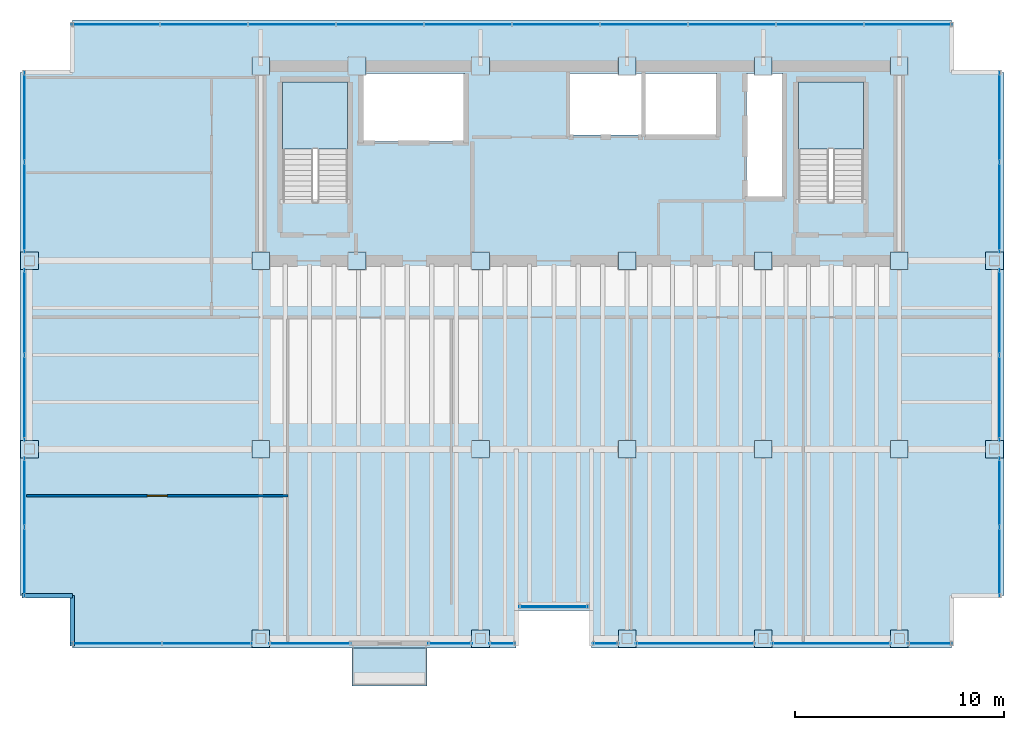
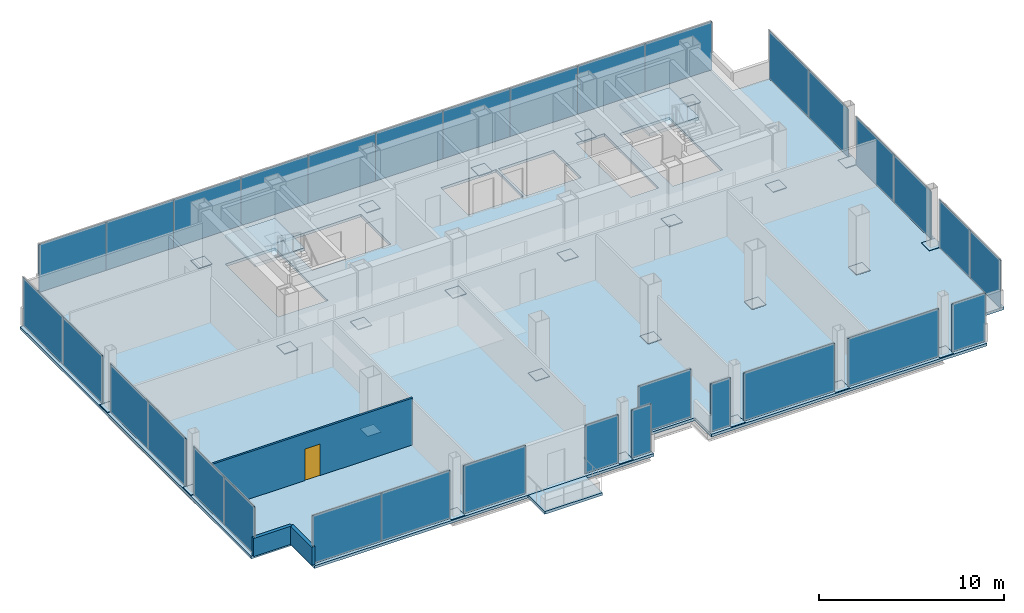
# One storey, part 17 of 20: 58 plates, 4 slabs, 3 walls, 1 door, 7 openings, 18 elements without a shape of their own.
"""IFC4 building model written with IfcOpenShell, lengths in metres."""

from ifc_helpers import new_model, si_unit, direction, frame, frame_2d, origin, origin_2d, place, context, subcontext, project, spatial, polyline, rectangle, outline, extrude, material, layer, layer_set, type_object, element, fill, aggregate, save


model = new_model("IFC4")

# Units and contexts
model_context = context("Model", 3, precision=1e-05, world=origin(), true_north=direction((0.0, 1.0)))
body_context = subcontext(model_context, "Body", "Model", "MODEL_VIEW")
ifc_project = project(units=[si_unit("LENGTHUNIT", "METRE"), si_unit("AREAUNIT", "SQUARE_METRE"), si_unit("VOLUMEUNIT", "CUBIC_METRE"), si_unit("PLANEANGLEUNIT", "RADIAN"), si_unit("MASSUNIT", "GRAM", prefix="KILO")], contexts=[model_context])

# Site, building, storey
site_placement = place(None, origin())
site = spatial("IfcSite", under=ifc_project, at=site_placement, CompositionType="ELEMENT")
building_placement = place(site_placement, origin())
building = spatial("IfcBuilding", under=site, at=building_placement, Name="Noeulbin Bourse Tower", CompositionType="ELEMENT")
storey_placement = place(building_placement, frame((0.0, 0.0, 126.60009765625)))
storey = spatial("IfcBuildingStorey", under=building, at=storey_placement, Name="L31", CompositionType="ELEMENT", Elevation=126.60009765625)

# Curtain wall, plate
ifc_material_1 = material(Name="Dark Tinted Triple Glazing", Category="glass")
curtain_wall_type = type_object("IfcCurtainWallType", Name="CW-SYS-3", PredefinedType="NOTDEFINED", material=ifc_material_1)
curtain_wall_1_placement = place(storey_placement, origin())
curtain_wall_1 = element("IfcCurtainWall", 1, at=curtain_wall_1_placement, inside=storey, type_object=curtain_wall_type, Name="Unitised Curtain Wall CW-L31-SREC", PredefinedType="NOTDEFINED")
ifc_layer_1 = layer(ifc_material_1, 0.035888671875)
ifc_layer_set_1 = layer_set([ifc_layer_1], Name="Dark Tinted Triple Glazing")
plate_type_1 = type_object("IfcPlateType", Name="CW-SYS-3-PNL", PredefinedType="CURTAIN_PANEL", material=ifc_layer_set_1)
plate_1_placement = place(storey_placement, frame((27.5, 12.47998046875, 0.0), z_axis=(0.0, 0.0, 1.0), x_axis=(1.0, 0.0, 0.0)))
plate_1 = element("IfcPlate", 2, at=plate_1_placement, type_object=plate_type_1, Name="Glazed Curtain Panel CW-L31-SREC-P00", PredefinedType="CURTAIN_PANEL", context=body_context, shape_type="SweptSolid", body=[
    extrude(rectangle(XDim=3.300048828125, YDim=0.035888671875, at=origin_2d()), origin(), (0.0, 0.0, 1.0), 3.179931640625),
])
aggregate(curtain_wall_1, [plate_1])

# Curtain wall, plates
curtain_wall_2_placement = place(storey_placement, origin())
curtain_wall_2 = element("IfcCurtainWall", 3, at=curtain_wall_2_placement, inside=storey, type_object=curtain_wall_type, Name="Unitised Curtain Wall CW-L31-S1-S1", PredefinedType="NOTDEFINED")
plate_2_placement = place(storey_placement, frame((6.632568359375, 10.719970703125, 0.0), z_axis=(0.0, 0.0, 1.0), x_axis=(1.0, 0.0, 0.0)))
plate_2 = element("IfcPlate", 4, at=plate_2_placement, type_object=plate_type_1, Name="Glazed Curtain Panel CW-L31-S1-S1-P00", PredefinedType="CURTAIN_PANEL", context=body_context, shape_type="SweptSolid", body=[
    extrude(rectangle(XDim=4.304931640625, YDim=0.035888671875, at=origin_2d()), origin(), (0.0, 0.0, 1.0), 3.179931640625),
])
plate_3_placement = place(storey_placement, frame((10.9375, 10.719970703125, 0.0), z_axis=(0.0, 0.0, 1.0), x_axis=(1.0, 0.0, 0.0)))
plate_3 = element("IfcPlate", 5, at=plate_3_placement, type_object=plate_type_1, Name="Glazed Curtain Panel CW-L31-S1-S1-P01", PredefinedType="CURTAIN_PANEL", context=body_context, shape_type="SweptSolid", body=[
    extrude(rectangle(XDim=4.304931640625, YDim=0.035888671875, at=origin_2d()), origin(), (0.0, 0.0, 1.0), 3.179931640625),
])
aggregate(curtain_wall_2, [plate_2, plate_3])

# Curtain wall, plate
curtain_wall_3_placement = place(storey_placement, origin())
curtain_wall_3 = element("IfcCurtainWall", 6, at=curtain_wall_3_placement, inside=storey, type_object=curtain_wall_type, Name="Unitised Curtain Wall CW-L31-S1-S2", PredefinedType="NOTDEFINED")
plate_4_placement = place(storey_placement, frame((15.85498046875, 10.719970703125, 0.0), z_axis=(0.0, 0.0, 1.0), x_axis=(1.0, 0.0, 0.0)))
plate_4 = element("IfcPlate", 7, at=plate_4_placement, type_object=plate_type_1, Name="Glazed Curtain Panel CW-L31-S1-S2-P00", PredefinedType="CURTAIN_PANEL", context=body_context, shape_type="SweptSolid", body=[
    extrude(rectangle(XDim=3.889892578125, YDim=0.035888671875, at=origin_2d()), origin(), (0.0, 0.0, 1.0), 3.179931640625),
])
aggregate(curtain_wall_3, [plate_4])

curtain_wall_4_placement = place(storey_placement, origin())
curtain_wall_4 = element("IfcCurtainWall", 8, at=curtain_wall_4_placement, inside=storey, type_object=curtain_wall_type, Name="Unitised Curtain Wall CW-L31-S2-S1", PredefinedType="NOTDEFINED")
plate_5_placement = place(storey_placement, frame((22.544921875, 10.719970703125, 0.0), z_axis=(0.0, 0.0, 1.0), x_axis=(1.0, 0.0, 0.0)))
plate_5 = element("IfcPlate", 9, at=plate_5_placement, type_object=plate_type_1, Name="Glazed Curtain Panel CW-L31-S2-S1-P00", PredefinedType="CURTAIN_PANEL", context=body_context, shape_type="SweptSolid", body=[
    extrude(rectangle(XDim=2.090087890625, YDim=0.035888671875, at=origin_2d()), origin(), (0.0, 0.0, 1.0), 3.179931640625),
])
aggregate(curtain_wall_4, [plate_5])

curtain_wall_5_placement = place(storey_placement, origin())
curtain_wall_5 = element("IfcCurtainWall", 10, at=curtain_wall_5_placement, inside=storey, type_object=curtain_wall_type, Name="Unitised Curtain Wall CW-L31-S2-S2", PredefinedType="NOTDEFINED")
plate_6_placement = place(storey_placement, frame((25.030029296875, 10.719970703125, 0.0), z_axis=(0.0, 0.0, 1.0), x_axis=(1.0, 0.0, 0.0)))
plate_6 = element("IfcPlate", 11, at=plate_6_placement, type_object=plate_type_1, Name="Glazed Curtain Panel CW-L31-S2-S2-P00", PredefinedType="CURTAIN_PANEL", context=body_context, shape_type="SweptSolid", body=[
    extrude(rectangle(XDim=1.239990234375, YDim=0.035888671875, at=origin_2d()), origin(), (0.0, 0.0, 1.0), 3.179931640625),
])
aggregate(curtain_wall_5, [plate_6])

curtain_wall_6_placement = place(storey_placement, origin())
curtain_wall_6 = element("IfcCurtainWall", 12, at=curtain_wall_6_placement, inside=storey, type_object=curtain_wall_type, Name="Unitised Curtain Wall CW-L31-S3-S1", PredefinedType="NOTDEFINED")
plate_7_placement = place(storey_placement, frame((29.969970703125, 10.719970703125, 0.0), z_axis=(0.0, 0.0, 1.0), x_axis=(1.0, 0.0, 0.0)))
plate_7 = element("IfcPlate", 13, at=plate_7_placement, type_object=plate_type_1, Name="Glazed Curtain Panel CW-L31-S3-S1-P00", PredefinedType="CURTAIN_PANEL", context=body_context, shape_type="SweptSolid", body=[
    extrude(rectangle(XDim=1.239990234375, YDim=0.035888671875, at=origin_2d()), origin(), (0.0, 0.0, 1.0), 3.179931640625),
])
aggregate(curtain_wall_6, [plate_7])

curtain_wall_7_placement = place(storey_placement, origin())
curtain_wall_7 = element("IfcCurtainWall", 14, at=curtain_wall_7_placement, inside=storey, type_object=curtain_wall_type, Name="Unitised Curtain Wall CW-L31-S3-S2", PredefinedType="NOTDEFINED")
plate_8_placement = place(storey_placement, frame((34.25, 10.719970703125, 0.0), z_axis=(0.0, 0.0, 1.0), x_axis=(1.0, 0.0, 0.0)))
plate_8 = element("IfcPlate", 15, at=plate_8_placement, type_object=plate_type_1, Name="Glazed Curtain Panel CW-L31-S3-S2-P00", PredefinedType="CURTAIN_PANEL", context=body_context, shape_type="SweptSolid", body=[
    extrude(rectangle(XDim=5.679931640625, YDim=0.035888671875, at=origin_2d()), origin(), (0.0, 0.0, 1.0), 3.179931640625),
])
aggregate(curtain_wall_7, [plate_8])

curtain_wall_8_placement = place(storey_placement, origin())
curtain_wall_8 = element("IfcCurtainWall", 16, at=curtain_wall_8_placement, inside=storey, type_object=curtain_wall_type, Name="Unitised Curtain Wall CW-L31-S3-S3", PredefinedType="NOTDEFINED")
plate_9_placement = place(storey_placement, frame((40.75, 10.719970703125, 0.0), z_axis=(0.0, 0.0, 1.0), x_axis=(1.0, 0.0, 0.0)))
plate_9 = element("IfcPlate", 17, at=plate_9_placement, type_object=plate_type_1, Name="Glazed Curtain Panel CW-L31-S3-S3-P00", PredefinedType="CURTAIN_PANEL", context=body_context, shape_type="SweptSolid", body=[
    extrude(rectangle(XDim=5.679931640625, YDim=0.035888671875, at=origin_2d()), origin(), (0.0, 0.0, 1.0), 3.179931640625),
])
aggregate(curtain_wall_8, [plate_9])

curtain_wall_9_placement = place(storey_placement, origin())
curtain_wall_9 = element("IfcCurtainWall", 18, at=curtain_wall_9_placement, inside=storey, type_object=curtain_wall_type, Name="Unitised Curtain Wall CW-L31-S3-S4", PredefinedType="NOTDEFINED")
plate_10_placement = place(storey_placement, frame((45.465087890625, 10.719970703125, 0.0), z_axis=(0.0, 0.0, 1.0), x_axis=(1.0, 0.0, 0.0)))
plate_10 = element("IfcPlate", 19, at=plate_10_placement, type_object=plate_type_1, Name="Glazed Curtain Panel CW-L31-S3-S4-P00", PredefinedType="CURTAIN_PANEL", context=body_context, shape_type="SweptSolid", body=[
    extrude(rectangle(XDim=2.110107421875, YDim=0.035888671875, at=origin_2d()), origin(), (0.0, 0.0, 1.0), 3.179931640625),
])
aggregate(curtain_wall_9, [plate_10])

# Curtain wall, plates
curtain_wall_10_placement = place(storey_placement, origin())
curtain_wall_10 = element("IfcCurtainWall", 20, at=curtain_wall_10_placement, inside=storey, type_object=curtain_wall_type, Name="Unitised Curtain Wall CW-L31-N", PredefinedType="NOTDEFINED")
plate_11_placement = place(storey_placement, frame((6.58203125, 40.280029296875, 0.0), z_axis=(0.0, 0.0, 1.0), x_axis=(1.0, 0.0, 0.0)))
plate_11 = element("IfcPlate", 21, at=plate_11_placement, type_object=plate_type_1, Name="Glazed Curtain Panel CW-L31-N-P00", PredefinedType="CURTAIN_PANEL", context=body_context, shape_type="SweptSolid", body=[
    extrude(rectangle(XDim=4.2041015625, YDim=0.035888671875, at=origin_2d()), origin(), (0.0, 0.0, 1.0), 3.179931640625),
])
plate_12_placement = place(storey_placement, frame((10.785888671875, 40.280029296875, 0.0), z_axis=(0.0, 0.0, 1.0), x_axis=(1.0, 0.0, 0.0)))
plate_12 = element("IfcPlate", 22, at=plate_12_placement, type_object=plate_type_1, Name="Glazed Curtain Panel CW-L31-N-P01", PredefinedType="CURTAIN_PANEL", context=body_context, shape_type="SweptSolid", body=[
    extrude(rectangle(XDim=4.2041015625, YDim=0.035888671875, at=origin_2d()), origin(), (0.0, 0.0, 1.0), 3.179931640625),
])
plate_13_placement = place(storey_placement, frame((14.989990234375, 40.280029296875, 0.0), z_axis=(0.0, 0.0, 1.0), x_axis=(1.0, 0.0, 0.0)))
plate_13 = element("IfcPlate", 23, at=plate_13_placement, type_object=plate_type_1, Name="Glazed Curtain Panel CW-L31-N-P02", PredefinedType="CURTAIN_PANEL", context=body_context, shape_type="SweptSolid", body=[
    extrude(rectangle(XDim=4.2041015625, YDim=0.035888671875, at=origin_2d()), origin(), (0.0, 0.0, 1.0), 3.179931640625),
])
plate_14_placement = place(storey_placement, frame((19.194091796875, 40.280029296875, 0.0), z_axis=(0.0, 0.0, 1.0), x_axis=(1.0, 0.0, 0.0)))
plate_14 = element("IfcPlate", 24, at=plate_14_placement, type_object=plate_type_1, Name="Glazed Curtain Panel CW-L31-N-P03", PredefinedType="CURTAIN_PANEL", context=body_context, shape_type="SweptSolid", body=[
    extrude(rectangle(XDim=4.2041015625, YDim=0.035888671875, at=origin_2d()), origin(), (0.0, 0.0, 1.0), 3.179931640625),
])
plate_15_placement = place(storey_placement, frame((23.39794921875, 40.280029296875, 0.0), z_axis=(0.0, 0.0, 1.0), x_axis=(1.0, 0.0, 0.0)))
plate_15 = element("IfcPlate", 25, at=plate_15_placement, type_object=plate_type_1, Name="Glazed Curtain Panel CW-L31-N-P04", PredefinedType="CURTAIN_PANEL", context=body_context, shape_type="SweptSolid", body=[
    extrude(rectangle(XDim=4.2041015625, YDim=0.035888671875, at=origin_2d()), origin(), (0.0, 0.0, 1.0), 3.179931640625),
])
plate_16_placement = place(storey_placement, frame((27.60205078125, 40.280029296875, 0.0), z_axis=(0.0, 0.0, 1.0), x_axis=(1.0, 0.0, 0.0)))
plate_16 = element("IfcPlate", 26, at=plate_16_placement, type_object=plate_type_1, Name="Glazed Curtain Panel CW-L31-N-P05", PredefinedType="CURTAIN_PANEL", context=body_context, shape_type="SweptSolid", body=[
    extrude(rectangle(XDim=4.2041015625, YDim=0.035888671875, at=origin_2d()), origin(), (0.0, 0.0, 1.0), 3.179931640625),
])
plate_17_placement = place(storey_placement, frame((31.805908203125, 40.280029296875, 0.0), z_axis=(0.0, 0.0, 1.0), x_axis=(1.0, 0.0, 0.0)))
plate_17 = element("IfcPlate", 27, at=plate_17_placement, type_object=plate_type_1, Name="Glazed Curtain Panel CW-L31-N-P06", PredefinedType="CURTAIN_PANEL", context=body_context, shape_type="SweptSolid", body=[
    extrude(rectangle(XDim=4.2041015625, YDim=0.035888671875, at=origin_2d()), origin(), (0.0, 0.0, 1.0), 3.179931640625),
])
plate_18_placement = place(storey_placement, frame((36.010009765625, 40.280029296875, 0.0), z_axis=(0.0, 0.0, 1.0), x_axis=(1.0, 0.0, 0.0)))
plate_18 = element("IfcPlate", 28, at=plate_18_placement, type_object=plate_type_1, Name="Glazed Curtain Panel CW-L31-N-P07", PredefinedType="CURTAIN_PANEL", context=body_context, shape_type="SweptSolid", body=[
    extrude(rectangle(XDim=4.2041015625, YDim=0.035888671875, at=origin_2d()), origin(), (0.0, 0.0, 1.0), 3.179931640625),
])
plate_19_placement = place(storey_placement, frame((40.214111328125, 40.280029296875, 0.0), z_axis=(0.0, 0.0, 1.0), x_axis=(1.0, 0.0, 0.0)))
plate_19 = element("IfcPlate", 29, at=plate_19_placement, type_object=plate_type_1, Name="Glazed Curtain Panel CW-L31-N-P08", PredefinedType="CURTAIN_PANEL", context=body_context, shape_type="SweptSolid", body=[
    extrude(rectangle(XDim=4.2041015625, YDim=0.035888671875, at=origin_2d()), origin(), (0.0, 0.0, 1.0), 3.179931640625),
])
plate_20_placement = place(storey_placement, frame((44.41796875, 40.280029296875, 0.0), z_axis=(0.0, 0.0, 1.0), x_axis=(1.0, 0.0, 0.0)))
plate_20 = element("IfcPlate", 30, at=plate_20_placement, type_object=plate_type_1, Name="Glazed Curtain Panel CW-L31-N-P09", PredefinedType="CURTAIN_PANEL", context=body_context, shape_type="SweptSolid", body=[
    extrude(rectangle(XDim=4.2041015625, YDim=0.035888671875, at=origin_2d()), origin(), (0.0, 0.0, 1.0), 3.179931640625),
])
aggregate(curtain_wall_10, [plate_11, plate_12, plate_13, plate_14, plate_15, plate_16, plate_17, plate_18, plate_19, plate_20])

curtain_wall_11_placement = place(storey_placement, origin())
curtain_wall_11 = element("IfcCurtainWall", 31, at=curtain_wall_11_placement, inside=storey, type_object=curtain_wall_type, Name="Unitised Curtain Wall CW-L31-W-S1", PredefinedType="NOTDEFINED")
plate_21_placement = place(storey_placement, frame((2.219970703125, 14.632568359375, 0.0), z_axis=(0.0, 0.0, 1.0), x_axis=(0.0, 1.0, 0.0)))
plate_21 = element("IfcPlate", 32, at=plate_21_placement, type_object=plate_type_1, Name="Glazed Curtain Panel CW-L31-W-S1-P00", PredefinedType="CURTAIN_PANEL", context=body_context, shape_type="SweptSolid", body=[
    extrude(rectangle(XDim=3.304931640625, YDim=0.035888671875, at=origin_2d()), origin(), (0.0, 0.0, 1.0), 3.179931640625),
])
plate_22_placement = place(storey_placement, frame((2.219970703125, 17.9375, 0.0), z_axis=(0.0, 0.0, 1.0), x_axis=(0.0, 1.0, 0.0)))
plate_22 = element("IfcPlate", 33, at=plate_22_placement, type_object=plate_type_1, Name="Glazed Curtain Panel CW-L31-W-S1-P01", PredefinedType="CURTAIN_PANEL", context=body_context, shape_type="SweptSolid", body=[
    extrude(rectangle(XDim=3.304931640625, YDim=0.035888671875, at=origin_2d()), origin(), (0.0, 0.0, 1.0), 3.179931640625),
])
aggregate(curtain_wall_11, [plate_21, plate_22])

curtain_wall_12_placement = place(storey_placement, origin())
curtain_wall_12 = element("IfcCurtainWall", 34, at=curtain_wall_12_placement, inside=storey, type_object=curtain_wall_type, Name="Unitised Curtain Wall CW-L31-W-S2", PredefinedType="NOTDEFINED")
plate_23_placement = place(storey_placement, frame((2.219970703125, 22.455078125, 0.0), z_axis=(0.0, 0.0, 1.0), x_axis=(0.0, 1.0, 0.0)))
plate_23 = element("IfcPlate", 35, at=plate_23_placement, type_object=plate_type_1, Name="Glazed Curtain Panel CW-L31-W-S2-P00", PredefinedType="CURTAIN_PANEL", context=body_context, shape_type="SweptSolid", body=[
    extrude(rectangle(XDim=4.090087890625, YDim=0.035888671875, at=origin_2d()), origin(), (0.0, 0.0, 1.0), 3.179931640625),
])
plate_24_placement = place(storey_placement, frame((2.219970703125, 26.544921875, 0.0), z_axis=(0.0, 0.0, 1.0), x_axis=(0.0, 1.0, 0.0)))
plate_24 = element("IfcPlate", 36, at=plate_24_placement, type_object=plate_type_1, Name="Glazed Curtain Panel CW-L31-W-S2-P01", PredefinedType="CURTAIN_PANEL", context=body_context, shape_type="SweptSolid", body=[
    extrude(rectangle(XDim=4.090087890625, YDim=0.035888671875, at=origin_2d()), origin(), (0.0, 0.0, 1.0), 3.179931640625),
])
aggregate(curtain_wall_12, [plate_23, plate_24])

curtain_wall_13_placement = place(storey_placement, origin())
curtain_wall_13 = element("IfcCurtainWall", 37, at=curtain_wall_13_placement, inside=storey, type_object=curtain_wall_type, Name="Unitised Curtain Wall CW-L31-W-S3", PredefinedType="NOTDEFINED")
plate_25_placement = place(storey_placement, frame((2.219970703125, 31.5625, 0.0), z_axis=(0.0, 0.0, 1.0), x_axis=(0.0, 1.0, 0.0)))
plate_25 = element("IfcPlate", 38, at=plate_25_placement, type_object=plate_type_1, Name="Glazed Curtain Panel CW-L31-W-S3-P00", PredefinedType="CURTAIN_PANEL", context=body_context, shape_type="SweptSolid", body=[
    extrude(rectangle(XDim=4.304931640625, YDim=0.035888671875, at=origin_2d()), origin(), (0.0, 0.0, 1.0), 3.179931640625),
])
plate_26_placement = place(storey_placement, frame((2.219970703125, 35.867431640625, 0.0), z_axis=(0.0, 0.0, 1.0), x_axis=(0.0, 1.0, 0.0)))
plate_26 = element("IfcPlate", 39, at=plate_26_placement, type_object=plate_type_1, Name="Glazed Curtain Panel CW-L31-W-S3-P01", PredefinedType="CURTAIN_PANEL", context=body_context, shape_type="SweptSolid", body=[
    extrude(rectangle(XDim=4.304931640625, YDim=0.035888671875, at=origin_2d()), origin(), (0.0, 0.0, 1.0), 3.179931640625),
])
aggregate(curtain_wall_13, [plate_25, plate_26])

curtain_wall_14_placement = place(storey_placement, origin())
curtain_wall_14 = element("IfcCurtainWall", 40, at=curtain_wall_14_placement, inside=storey, type_object=curtain_wall_type, Name="Unitised Curtain Wall CW-L31-E-S1", PredefinedType="NOTDEFINED")
plate_27_placement = place(storey_placement, frame((48.780029296875, 14.632568359375, 0.0), z_axis=(0.0, 0.0, 1.0), x_axis=(0.0, 1.0, 0.0)))
plate_27 = element("IfcPlate", 41, at=plate_27_placement, type_object=plate_type_1, Name="Glazed Curtain Panel CW-L31-E-S1-P00", PredefinedType="CURTAIN_PANEL", context=body_context, shape_type="SweptSolid", body=[
    extrude(rectangle(XDim=3.304931640625, YDim=0.035888671875, at=origin_2d()), origin(), (0.0, 0.0, 1.0), 3.179931640625),
])
plate_28_placement = place(storey_placement, frame((48.780029296875, 17.9375, 0.0), z_axis=(0.0, 0.0, 1.0), x_axis=(0.0, 1.0, 0.0)))
plate_28 = element("IfcPlate", 42, at=plate_28_placement, type_object=plate_type_1, Name="Glazed Curtain Panel CW-L31-E-S1-P01", PredefinedType="CURTAIN_PANEL", context=body_context, shape_type="SweptSolid", body=[
    extrude(rectangle(XDim=3.304931640625, YDim=0.035888671875, at=origin_2d()), origin(), (0.0, 0.0, 1.0), 3.179931640625),
])
aggregate(curtain_wall_14, [plate_27, plate_28])

curtain_wall_15_placement = place(storey_placement, origin())
curtain_wall_15 = element("IfcCurtainWall", 43, at=curtain_wall_15_placement, inside=storey, type_object=curtain_wall_type, Name="Unitised Curtain Wall CW-L31-E-S2", PredefinedType="NOTDEFINED")
plate_29_placement = place(storey_placement, frame((48.780029296875, 22.455078125, 0.0), z_axis=(0.0, 0.0, 1.0), x_axis=(0.0, 1.0, 0.0)))
plate_29 = element("IfcPlate", 44, at=plate_29_placement, type_object=plate_type_1, Name="Glazed Curtain Panel CW-L31-E-S2-P00", PredefinedType="CURTAIN_PANEL", context=body_context, shape_type="SweptSolid", body=[
    extrude(rectangle(XDim=4.090087890625, YDim=0.035888671875, at=origin_2d()), origin(), (0.0, 0.0, 1.0), 3.179931640625),
])
plate_30_placement = place(storey_placement, frame((48.780029296875, 26.544921875, 0.0), z_axis=(0.0, 0.0, 1.0), x_axis=(0.0, 1.0, 0.0)))
plate_30 = element("IfcPlate", 45, at=plate_30_placement, type_object=plate_type_1, Name="Glazed Curtain Panel CW-L31-E-S2-P01", PredefinedType="CURTAIN_PANEL", context=body_context, shape_type="SweptSolid", body=[
    extrude(rectangle(XDim=4.090087890625, YDim=0.035888671875, at=origin_2d()), origin(), (0.0, 0.0, 1.0), 3.179931640625),
])
aggregate(curtain_wall_15, [plate_29, plate_30])

curtain_wall_16_placement = place(storey_placement, origin())
curtain_wall_16 = element("IfcCurtainWall", 46, at=curtain_wall_16_placement, inside=storey, type_object=curtain_wall_type, Name="Unitised Curtain Wall CW-L31-E-S3", PredefinedType="NOTDEFINED")
plate_31_placement = place(storey_placement, frame((48.780029296875, 31.5625, 0.0), z_axis=(0.0, 0.0, 1.0), x_axis=(0.0, 1.0, 0.0)))
plate_31 = element("IfcPlate", 47, at=plate_31_placement, type_object=plate_type_1, Name="Glazed Curtain Panel CW-L31-E-S3-P00", PredefinedType="CURTAIN_PANEL", context=body_context, shape_type="SweptSolid", body=[
    extrude(rectangle(XDim=4.304931640625, YDim=0.035888671875, at=origin_2d()), origin(), (0.0, 0.0, 1.0), 3.179931640625),
])
plate_32_placement = place(storey_placement, frame((48.780029296875, 35.867431640625, 0.0), z_axis=(0.0, 0.0, 1.0), x_axis=(0.0, 1.0, 0.0)))
plate_32 = element("IfcPlate", 48, at=plate_32_placement, type_object=plate_type_1, Name="Glazed Curtain Panel CW-L31-E-S3-P01", PredefinedType="CURTAIN_PANEL", context=body_context, shape_type="SweptSolid", body=[
    extrude(rectangle(XDim=4.304931640625, YDim=0.035888671875, at=origin_2d()), origin(), (0.0, 0.0, 1.0), 3.179931640625),
])
aggregate(curtain_wall_16, [plate_31, plate_32])

# Plates
ifc_material_2 = material(Name="Steel S355", Category="steel")
ifc_layer_2 = layer(ifc_material_2, 0.030029296875)
ifc_layer_set_2 = layer_set([ifc_layer_2], Name="Steel S355")
plate_type_2 = type_object("IfcPlateType", Name="PLT-BN1", PredefinedType="USERDEFINED", material=ifc_layer_set_2)
for number, where, z_axis, x_axis, name in (
    (49, (13.5, 29.0, 0.0048828125), (0.0, 0.0, 1.0), (1.0, 0.0, 0.0), "Mega-Column Splice Plate BN1-L31-01"),
    (50, (13.5, 38.300048828125, 0.0048828125), (0.0, 0.0, 1.0), (1.0, 0.0, 0.0), "Mega-Column Splice Plate BN1-L31-02"),
    (51, (18.10009765625, 29.0, 0.0048828125), (0.0, 0.0, 1.0), (1.0, 0.0, 0.0), "Mega-Column Splice Plate BN1-L31-03"),
    (52, (18.10009765625, 38.300048828125, 0.0048828125), (0.0, 0.0, 1.0), (1.0, 0.0, 0.0), "Mega-Column Splice Plate BN1-L31-04"),
    (53, (24.0, 29.0, 0.0048828125), (0.0, 0.0, 1.0), (1.0, 0.0, 0.0), "Mega-Column Splice Plate BN1-L31-05"),
    (54, (24.0, 38.300048828125, 0.0048828125), (0.0, 0.0, 1.0), (1.0, 0.0, 0.0), "Mega-Column Splice Plate BN1-L31-06"),
    (55, (31.0, 29.0, 0.0048828125), (0.0, 0.0, 1.0), (1.0, 0.0, 0.0), "Mega-Column Splice Plate BN1-L31-07"),
    (56, (31.0, 38.300048828125, 0.0048828125), (0.0, 0.0, 1.0), (1.0, 0.0, 0.0), "Mega-Column Splice Plate BN1-L31-08"),
    (57, (37.5, 29.0, 0.0048828125), (0.0, 0.0, 1.0), (1.0, 0.0, 0.0), "Mega-Column Splice Plate BN1-L31-09"),
    (58, (37.5, 38.300048828125, 0.0048828125), (0.0, 0.0, 1.0), (1.0, 0.0, 0.0), "Mega-Column Splice Plate BN1-L31-10"),
    (59, (44.0, 29.0, 0.0048828125), (0.0, 0.0, 1.0), (1.0, 0.0, 0.0), "Mega-Column Splice Plate BN1-L31-11"),
    (60, (44.0, 38.300048828125, 0.0048828125), (0.0, 0.0, 1.0), (1.0, 0.0, 0.0), "Mega-Column Splice Plate BN1-L31-12"),
    (61, (13.5, 20.0, 0.0048828125), (0.0, 0.0, 1.0), (1.0, 0.0, 0.0), "Mega-Column Splice Plate BN1-L31-13"),
    (62, (24.0, 20.0, 0.0048828125), (0.0, 0.0, 1.0), (1.0, 0.0, 0.0), "Mega-Column Splice Plate BN1-L31-14"),
    (63, (31.0, 20.0, 0.0048828125), (0.0, 0.0, 1.0), (1.0, 0.0, 0.0), "Mega-Column Splice Plate BN1-L31-15"),
    (64, (37.5, 20.0, 0.0048828125), (0.0, 0.0, 1.0), (1.0, 0.0, 0.0), "Mega-Column Splice Plate BN1-L31-16"),
    (65, (44.0, 20.0, 0.0048828125), (0.0, 0.0, 1.0), (1.0, 0.0, 0.0), "Mega-Column Splice Plate BN1-L31-17"),
    (66, (2.449951171875, 20.0, 0.0048828125), (0.0, 0.0, 1.0), (1.0, 0.0, 0.0), "Perimeter Column Splice Plate BN1-L31-01"),
    (67, (2.449951171875, 29.0, 0.0048828125), (0.0, 0.0, 1.0), (1.0, 0.0, 0.0), "Perimeter Column Splice Plate BN1-L31-02"),
    (68, (13.5, 10.949951171875, 0.0048828125), (0.0, 0.0, 1.0), (1.0, 0.0, 0.0), "Perimeter Column Splice Plate BN1-L31-03"),
    (69, (24.0, 10.949951171875, 0.0048828125), (0.0, 0.0, 1.0), (1.0, 0.0, 0.0), "Perimeter Column Splice Plate BN1-L31-04"),
    (70, (31.0, 10.949951171875, 0.0048828125), (0.0, 0.0, 1.0), (1.0, 0.0, 0.0), "Perimeter Column Splice Plate BN1-L31-05"),
    (71, (37.5, 10.949951171875, 0.0048828125), (0.0, 0.0, 1.0), (1.0, 0.0, 0.0), "Perimeter Column Splice Plate BN1-L31-06"),
    (72, (44.0, 10.949951171875, 0.0048828125), (0.0, 0.0, 1.0), (1.0, 0.0, 0.0), "Perimeter Column Splice Plate BN1-L31-07"),
    (73, (48.550048828125, 20.0, 0.0048828125), (0.0, 0.0, 1.0), (1.0, 0.0, 0.0), "Perimeter Column Splice Plate BN1-L31-08"),
    (74, (48.550048828125, 29.0, 0.0048828125), (0.0, 0.0, 1.0), (1.0, 0.0, 0.0), "Perimeter Column Splice Plate BN1-L31-09"),
):
    element("IfcPlate", number, at=place(storey_placement, frame(where, z_axis=z_axis, x_axis=x_axis)), inside=storey, type_object=plate_type_2, Name=name, ObjectType="SPLICE PLATE", PredefinedType="USERDEFINED", context=body_context, shape_type="SweptSolid", body=[
        extrude(rectangle(XDim=0.85009765625, YDim=0.85009765625, at=origin_2d()), origin(), (0.0, 0.0, 1.0), 0.030029296875),
    ])

# Stair, slab
ifc_material_3 = material(Name="Concrete C40/50", Category="concrete")
stair_type = type_object("IfcStairType", Name="STR-CORE-1560", PredefinedType="HALF_TURN_STAIR", material=ifc_material_3)
stair_1_placement = place(storey_placement, origin())
stair_1 = element("IfcStair", 75, at=stair_1_placement, inside=storey, type_object=stair_type, Name="L31 ST-1", PredefinedType="HALF_TURN_STAIR")
ifc_layer_3 = layer(ifc_material_3, 0.199951171875)
ifc_layer_set_3 = layer_set([ifc_layer_3], Name="Concrete C40/50")
slab_type_1 = type_object("IfcSlabType", Name="SLB-LND-200", PredefinedType="LANDING", material=ifc_layer_set_3)
slab_1_placement = place(storey_placement, frame((0.0, 0.0, 1.75)))
slab_1 = element("IfcSlab", 76, at=slab_1_placement, type_object=slab_type_1, Name="ST-1 landing 1", PredefinedType="LANDING", context=body_context, shape_type="SweptSolid", body=[
    extrude(outline(polyline([(17.64990234375, 34.330078125), (17.64990234375, 37.5439453125), (14.550048828125, 37.5439453125), (14.550048828125, 34.330078125), (17.64990234375, 34.330078125)])), origin(), (0.0, 0.0, 1.0), 0.199951171875),
])
aggregate(stair_1, [slab_1])

stair_2_placement = place(storey_placement, origin())
stair_2 = element("IfcStair", 77, at=stair_2_placement, inside=storey, type_object=stair_type, Name="L31 ST-2", PredefinedType="HALF_TURN_STAIR")
slab_2_placement = place(storey_placement, frame((0.0, 0.0, 1.75)))
slab_2 = element("IfcSlab", 78, at=slab_2_placement, type_object=slab_type_1, Name="ST-2 landing 1", PredefinedType="LANDING", context=body_context, shape_type="SweptSolid", body=[
    extrude(outline(polyline([(42.280029296875, 34.330078125), (42.280029296875, 37.5439453125), (39.179931640625, 37.5439453125), (39.179931640625, 34.330078125), (42.280029296875, 34.330078125)])), origin(), (0.0, 0.0, 1.0), 0.199951171875),
])
aggregate(stair_2, [slab_2])

# Slab, openings
ifc_layer_4 = layer(ifc_material_3, 0.179931640625)
ifc_layer_set_4 = layer_set([ifc_layer_4], Name="Concrete C40/50")
slab_type_2 = type_object("IfcSlabType", Name="SLB-TYP-180", PredefinedType="FLOOR", material=ifc_layer_set_4)
slab_3_placement = place(storey_placement, frame((0.0, 0.0, -0.18017578125)))
slab_3 = element("IfcSlab", 79, at=slab_3_placement, inside=storey, type_object=slab_type_2, Name="Tower Structural Floor Slab L31", PredefinedType="FLOOR", context=body_context, shape_type="SweptSolid", body=[
    extrude(outline(polyline([(4.5, 10.5), (25.699951171875, 10.5), (25.699951171875, 12.300048828125), (29.300048828125, 12.300048828125), (29.300048828125, 10.5), (46.5, 10.5), (46.5, 13.0), (49.0, 13.0), (49.0, 38.0), (46.5, 38.0), (46.5, 40.5), (4.5, 40.5), (4.5, 38.0), (2.0, 38.0), (2.0, 13.0), (4.5, 13.0), (4.5, 10.5)]), holes=[polyline([(17.64990234375, 31.81005859375), (17.64990234375, 37.5439453125), (14.550048828125, 37.5439453125), (14.550048828125, 31.81005859375), (17.64990234375, 31.81005859375)]), polyline([(42.280029296875, 31.81005859375), (42.280029296875, 37.5439453125), (39.179931640625, 37.5439453125), (39.179931640625, 31.81005859375), (42.280029296875, 31.81005859375)]), polyline([(18.35009765625, 34.699951171875), (23.25, 34.699951171875), (23.25, 37.949951171875), (18.35009765625, 37.949951171875), (18.35009765625, 34.699951171875)]), polyline([(36.699951171875, 32.050048828125), (38.449951171875, 32.050048828125), (38.449951171875, 37.949951171875), (36.699951171875, 37.949951171875), (36.699951171875, 32.050048828125)]), polyline([(28.25, 35.0), (31.699951171875, 35.0), (31.699951171875, 37.949951171875), (28.25, 37.949951171875), (28.25, 35.0)]), polyline([(31.85009765625, 35.0), (35.300048828125, 35.0), (35.300048828125, 37.949951171875), (31.85009765625, 37.949951171875), (31.85009765625, 35.0)])]), origin(), (0.0, 0.0, 1.0), 0.18017578125),
])
opening_1_placement = place(slab_3_placement, frame((0.0, 0.0, -0.010009765625)))
element("IfcOpeningElement", 80, at=opening_1_placement, cuts=slab_3, Name="Slab Shaft Opening SLB-L31-TWR-1", PredefinedType="OPENING", context=body_context, shape_type="SweptSolid", body=[
    extrude(outline(polyline([(17.64990234375, 31.81005859375), (17.64990234375, 37.5439453125), (14.550048828125, 37.5439453125), (14.550048828125, 31.81005859375), (17.64990234375, 31.81005859375)])), origin(), (0.0, 0.0, 1.0), 0.2001953125),
])
opening_2_placement = place(slab_3_placement, frame((0.0, 0.0, -0.010009765625)))
element("IfcOpeningElement", 81, at=opening_2_placement, cuts=slab_3, Name="Slab Shaft Opening SLB-L31-TWR-2", PredefinedType="OPENING", context=body_context, shape_type="SweptSolid", body=[
    extrude(outline(polyline([(42.280029296875, 31.81005859375), (42.280029296875, 37.5439453125), (39.179931640625, 37.5439453125), (39.179931640625, 31.81005859375), (42.280029296875, 31.81005859375)])), origin(), (0.0, 0.0, 1.0), 0.2001953125),
])
opening_3_placement = place(slab_3_placement, frame((0.0, 0.0, -0.010009765625)))
element("IfcOpeningElement", 82, at=opening_3_placement, cuts=slab_3, Name="Slab Shaft Opening SLB-L31-TWR-3", PredefinedType="OPENING", context=body_context, shape_type="SweptSolid", body=[
    extrude(outline(polyline([(18.35009765625, 34.699951171875), (23.25, 34.699951171875), (23.25, 37.949951171875), (18.35009765625, 37.949951171875), (18.35009765625, 34.699951171875)])), origin(), (0.0, 0.0, 1.0), 0.2001953125),
])
opening_4_placement = place(slab_3_placement, frame((0.0, 0.0, -0.010009765625)))
element("IfcOpeningElement", 83, at=opening_4_placement, cuts=slab_3, Name="Slab Shaft Opening SLB-L31-TWR-4", PredefinedType="OPENING", context=body_context, shape_type="SweptSolid", body=[
    extrude(outline(polyline([(36.699951171875, 32.050048828125), (38.449951171875, 32.050048828125), (38.449951171875, 37.949951171875), (36.699951171875, 37.949951171875), (36.699951171875, 32.050048828125)])), origin(), (0.0, 0.0, 1.0), 0.2001953125),
])
opening_5_placement = place(slab_3_placement, frame((0.0, 0.0, -0.010009765625)))
element("IfcOpeningElement", 84, at=opening_5_placement, cuts=slab_3, Name="Slab Shaft Opening SLB-L31-TWR-5", PredefinedType="OPENING", context=body_context, shape_type="SweptSolid", body=[
    extrude(outline(polyline([(28.25, 35.0), (31.699951171875, 35.0), (31.699951171875, 37.949951171875), (28.25, 37.949951171875), (28.25, 35.0)])), origin(), (0.0, 0.0, 1.0), 0.2001953125),
])
opening_6_placement = place(slab_3_placement, frame((0.0, 0.0, -0.010009765625)))
element("IfcOpeningElement", 85, at=opening_6_placement, cuts=slab_3, Name="Slab Shaft Opening SLB-L31-TWR-6", PredefinedType="OPENING", context=body_context, shape_type="SweptSolid", body=[
    extrude(outline(polyline([(31.85009765625, 35.0), (35.300048828125, 35.0), (35.300048828125, 37.949951171875), (31.85009765625, 37.949951171875), (31.85009765625, 35.0)])), origin(), (0.0, 0.0, 1.0), 0.2001953125),
])

# Slab
slab_4_placement = place(storey_placement, frame((0.0, 0.0, -0.18017578125)))
element("IfcSlab", 86, at=slab_4_placement, inside=storey, type_object=slab_type_2, Name="Cantilevered Tree-Balcony Slab L31", PredefinedType="FLOOR", context=body_context, shape_type="SweptSolid", body=[
    extrude(outline(polyline([(17.85009765625, 8.699951171875), (21.449951171875, 8.699951171875), (21.449951171875, 10.5), (17.85009765625, 10.5), (17.85009765625, 8.699951171875)])), origin(), (0.0, 0.0, 1.0), 0.18017578125),
])

# Walls
ifc_layer_5 = layer(ifc_material_3, 0.199951171875)
ifc_layer_set_5 = layer_set([ifc_layer_5], Name="Concrete C40/50")
wall_type_1 = type_object("IfcWallType", Name="WAL-PAR-200", PredefinedType="PARAPET", material=ifc_layer_set_5)
for number, where, z_axis, x_axis, name in (
    (87, (2.10009765625, 13.0, 0.0), (0.0, 0.0, 1.0), (1.0, 0.0, 0.0), "Corner Notch Parapet L31-SW1"),
    (88, (4.5, 13.0, 0.0), (0.0, 0.0, 1.0), (0.0, -1.0, 0.0), "Corner Notch Parapet L31-SW2"),
):
    element("IfcWall", number, at=place(storey_placement, frame(where, z_axis=z_axis, x_axis=x_axis)), inside=storey, type_object=wall_type_1, Name=name, PredefinedType="PARAPET", context=body_context, shape_type="SweptSolid", body=[
        extrude(rectangle(XDim=2.39990234375, YDim=0.199951171875, at=frame_2d((1.199951171875, 0.0))), origin(), (0.0, 0.0, 1.0), 1.199951171875),
    ])

# Wall, opening, door
ifc_material_4 = material(Name="Steel Stud Gypsum Partition", Category="steel")
ifc_layer_6 = layer(ifc_material_4, 0.1201171875)
ifc_layer_set_6 = layer_set([ifc_layer_6], Name="Steel Stud Gypsum Partition")
wall_type_2 = type_object("IfcWallType", Name="WAL-PRT-120", PredefinedType="PARTITIONING", material=ifc_layer_set_6)
wall_placement = place(storey_placement, frame((2.31005859375, 17.780029296875, 0.0), z_axis=(0.0, 0.0, 1.0), x_axis=(1.0, 0.0, 0.0)))
wall = element("IfcWall", 89, at=wall_placement, inside=storey, type_object=wall_type_2, Name="Interior Partition Wall L31-06", PredefinedType="PARTITIONING", context=body_context, shape_type="SweptSolid", body=[
    extrude(rectangle(XDim=12.489990234375, YDim=0.1201171875, at=frame_2d((6.2451171875, 0.0))), origin(), (0.0, 0.0, 1.0), 3.099853515625),
])
opening_7_placement = place(wall_placement, frame((5.77001953125, 0.0, 0.0)))
opening_7 = element("IfcOpeningElement", 90, at=opening_7_placement, cuts=wall, Name="Opening ID-09", PredefinedType="OPENING", context=body_context, shape_type="SweptSolid", body=[
    extrude(rectangle(XDim=0.949951171875, YDim=2.080078125, at=frame_2d((0.47509765625, 1.0400390625))), frame((0.0, 0.070068359375, 0.0), z_axis=(0.0, -1.0, 0.0), x_axis=(1.0, 0.0, 0.0)), (0.0, 0.0, 1.0), 0.14013671875),
])
ifc_material_5 = material(Name="Acoustic Solid-Core Timber", Category="wood")
door_type = type_object("IfcDoorType", Name="DR-SINGLE-950", OperationType="SINGLE_SWING_LEFT", PredefinedType="DOOR", material=ifc_material_5)
door_placement = place(opening_7_placement, origin())
door = element("IfcDoor", 91, at=door_placement, inside=storey, type_object=door_type, Name="Interior Door L31-08", OperationType="SINGLE_SWING_RIGHT", OverallHeight=2.080078125, OverallWidth=0.949951171875, PredefinedType="DOOR", context=body_context, shape_type="SweptSolid", body=[
    extrude(rectangle(XDim=0.949951171875, YDim=2.080078125, at=frame_2d((0.47509765625, 1.0400390625))), frame((0.0, 0.02490234375, 0.0), z_axis=(0.0, -1.0, 0.0), x_axis=(1.0, 0.0, 0.0)), (0.0, 0.0, 1.0), 0.050048828125),
])
fill(opening_7, door)

save(model, "model.ifc")
